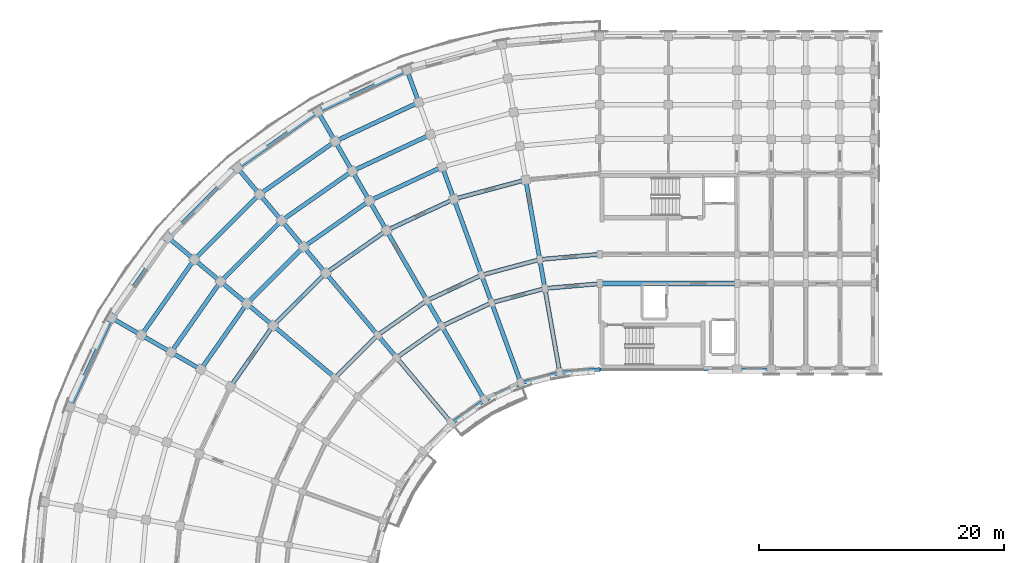
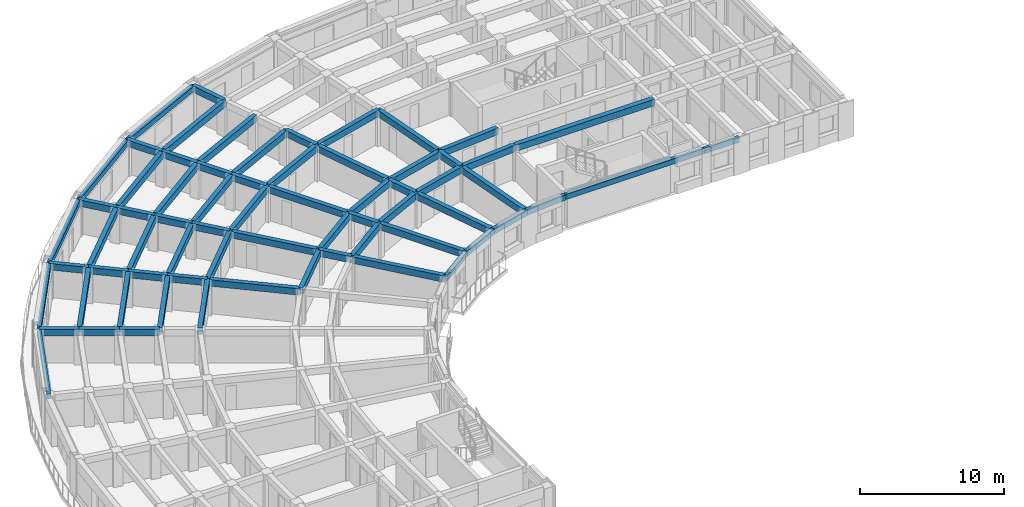
# One storey, part 8 of 54: 68 beams.
"""IFC4 building model written with IfcOpenShell, lengths in metres."""

from ifc_helpers import new_model, si_unit, direction, frame, origin, origin_2d, place, context, subcontext, project, spatial, rectangle, extrude, material, material_profile, profile_set, type_object, element, save


model = new_model("IFC4")

# Units and contexts
model_context = context("Model", 3, precision=1e-05, world=origin(), true_north=direction((0.0, 1.0)))
body_context = subcontext(model_context, "Body", "Model", "MODEL_VIEW")
ifc_project = project(units=[si_unit("LENGTHUNIT", "METRE"), si_unit("AREAUNIT", "SQUARE_METRE"), si_unit("VOLUMEUNIT", "CUBIC_METRE"), si_unit("PLANEANGLEUNIT", "RADIAN"), si_unit("MASSUNIT", "GRAM", prefix="KILO")], contexts=[model_context])

# Site, building, storey
site_placement = place(None, origin())
site = spatial("IfcSite", under=ifc_project, at=site_placement, CompositionType="ELEMENT")
building_placement = place(site_placement, origin())
building = spatial("IfcBuilding", under=site, at=building_placement, Name="Kiranvali Square Residences", CompositionType="ELEMENT")
storey_placement = place(building_placement, frame((0.0, 0.0, 27.60009765625)))
storey = spatial("IfcBuildingStorey", under=building, at=storey_placement, Name="L08", CompositionType="ELEMENT", Elevation=27.60009765625)

# Beams
ifc_material_1 = material(Name="Concrete M40 (40 MPa)", Category="concrete")
ifc_material_profile_1 = material_profile(ifc_material_1, rectangle(XDim=0.35009765625, YDim=0.550048828125, at=origin_2d()), Name="RC 350x550")
ifc_profile_set_1 = profile_set([ifc_material_profile_1], Name="Concrete M40 (40 MPa)")
beam_type_1 = type_object("IfcBeamType", Name="BM-M40-350x550", PredefinedType="BEAM", material=ifc_profile_set_1)
beam_1_placement = place(storey_placement, frame((48.199951171875, 113.60009765625, 2.65478515625), z_axis=(-0.996191949488, -0.087187153726, 0.0), x_axis=(0.087187153726, -0.996191949488, 0.0)))
element("IfcBeam", 1, at=beam_1_placement, inside=storey, type_object=beam_type_1, Name="L08 beam BM-A-L08-C00-R1", PredefinedType="BEAM", context=body_context, shape_type="SweptSolid", body=[
    extrude(rectangle(XDim=0.35009765625, YDim=0.550048828125, at=origin_2d()), origin(), (0.0, 0.0, 1.0), 4.4970703125),
])
beam_2_placement = place(storey_placement, frame((48.199951171875, 116.0, 2.65478515625), z_axis=(-0.996193663584, -0.087167566415, 0.0), x_axis=(0.087167566415, -0.996193663584, 0.0)))
element("IfcBeam", 2, at=beam_2_placement, inside=storey, type_object=beam_type_1, Name="L08 beam BM-A-L08-C00-R2", PredefinedType="BEAM", context=body_context, shape_type="SweptSolid", body=[
    extrude(rectangle(XDim=0.35009765625, YDim=0.550048828125, at=origin_2d()), origin(), (0.0, 0.0, 1.0), 4.91552734375),
])
beam_3_placement = place(storey_placement, frame((43.719970703125, 113.2080078125, 2.65478515625), z_axis=(-0.965934240054, -0.258787642463, 0.0), x_axis=(0.258787642463, -0.965934240054, 0.0)))
element("IfcBeam", 3, at=beam_3_placement, inside=storey, type_object=beam_type_1, Name="L08 beam BM-A-L08-C01-R1", PredefinedType="BEAM", context=body_context, shape_type="SweptSolid", body=[
    extrude(rectangle(XDim=0.35009765625, YDim=0.550048828125, at=origin_2d()), origin(), (0.0, 0.0, 1.0), 4.497314453125),
])
beam_4_placement = place(storey_placement, frame((43.30322265625, 115.571533203125, 2.65478515625), z_axis=(-0.965930095386, -0.258803112091, 0.0), x_axis=(0.258803112091, -0.965930095386, 0.0)))
element("IfcBeam", 4, at=beam_4_placement, inside=storey, type_object=beam_type_1, Name="L08 beam BM-A-L08-C01-R2", PredefinedType="BEAM", context=body_context, shape_type="SweptSolid", body=[
    extrude(rectangle(XDim=0.35009765625, YDim=0.550048828125, at=origin_2d()), origin(), (0.0, 0.0, 1.0), 4.915771484375),
])
beam_5_placement = place(storey_placement, frame((42.156982421875, 122.0712890625, 2.65478515625), z_axis=(-0.965923618901, -0.258827283048, 0.0), x_axis=(0.258827283048, -0.965923618901, 0.0)))
element("IfcBeam", 5, at=beam_5_placement, inside=storey, type_object=beam_type_1, Name="L08 beam BM-A-L08-C01-R3", PredefinedType="BEAM", context=body_context, shape_type="SweptSolid", body=[
    extrude(rectangle(XDim=0.35009765625, YDim=0.550048828125, at=origin_2d()), origin(), (0.0, 0.0, 1.0), 6.066162109375),
])
beam_6_placement = place(storey_placement, frame((39.3759765625, 112.044189453125, 2.65478515625), z_axis=(-0.906307919131, -0.422617978463, 0.0), x_axis=(0.422617978463, -0.906307919131, 0.0)))
element("IfcBeam", 6, at=beam_6_placement, inside=storey, type_object=beam_type_1, Name="L08 beam BM-A-L08-C02-R1", PredefinedType="BEAM", context=body_context, shape_type="SweptSolid", body=[
    extrude(rectangle(XDim=0.35009765625, YDim=0.550048828125, at=origin_2d()), origin(), (0.0, 0.0, 1.0), 4.497314453125),
])
beam_7_placement = place(storey_placement, frame((38.554931640625, 114.29931640625, 2.65478515625), z_axis=(-0.906302381024, -0.422629854778, 0.0), x_axis=(0.422629854778, -0.906302381024, 0.0)))
element("IfcBeam", 7, at=beam_7_placement, inside=storey, type_object=beam_type_1, Name="L08 beam BM-A-L08-C02-R2", PredefinedType="BEAM", context=body_context, shape_type="SweptSolid", body=[
    extrude(rectangle(XDim=0.35009765625, YDim=0.550048828125, at=origin_2d()), origin(), (0.0, 0.0, 1.0), 4.915283203125),
])
beam_8_placement = place(storey_placement, frame((36.297607421875, 120.501220703125, 2.65478515625), z_axis=(-0.906312656069, -0.42260781991, 0.0), x_axis=(0.42260781991, -0.906312656069, 0.0)))
element("IfcBeam", 8, at=beam_8_placement, inside=storey, type_object=beam_type_1, Name="L08 beam BM-A-L08-C02-R3", PredefinedType="BEAM", context=body_context, shape_type="SweptSolid", body=[
    extrude(rectangle(XDim=0.35009765625, YDim=0.550048828125, at=origin_2d()), origin(), (0.0, 0.0, 1.0), 6.06591796875),
])
beam_9_placement = place(storey_placement, frame((35.340087890625, 123.13232421875, 2.65478515625), z_axis=(-0.906318225223, -0.422595876255, 0.0), x_axis=(0.422595876255, -0.906318225223, 0.0)))
element("IfcBeam", 9, at=beam_9_placement, inside=storey, type_object=beam_type_1, Name="L08 beam BM-A-L08-C02-R4", PredefinedType="BEAM", context=body_context, shape_type="SweptSolid", body=[
    extrude(rectangle(XDim=0.35009765625, YDim=0.550048828125, at=origin_2d()), origin(), (0.0, 0.0, 1.0), 6.55419921875),
])
beam_10_placement = place(storey_placement, frame((34.38232421875, 125.763671875, 2.65478515625), z_axis=(-0.906297360311, -0.422640621205, 0.0), x_axis=(0.422640621205, -0.906297360311, 0.0)))
element("IfcBeam", 10, at=beam_10_placement, inside=storey, type_object=beam_type_1, Name="L08 beam BM-A-L08-C02-R5", PredefinedType="BEAM", context=body_context, shape_type="SweptSolid", body=[
    extrude(rectangle(XDim=0.35009765625, YDim=0.550048828125, at=origin_2d()), origin(), (0.0, 0.0, 1.0), 7.042236328125),
])
beam_11_placement = place(storey_placement, frame((33.4248046875, 128.394775390625, 2.65478515625), z_axis=(-0.90630982703, -0.422613886933, 0.0), x_axis=(0.422613886933, -0.90630982703, 0.0)))
element("IfcBeam", 11, at=beam_11_placement, inside=storey, type_object=beam_type_1, Name="L08 beam BM-A-L08-C02-R6", PredefinedType="BEAM", context=body_context, shape_type="SweptSolid", body=[
    extrude(rectangle(XDim=0.35009765625, YDim=0.550048828125, at=origin_2d()), origin(), (0.0, 0.0, 1.0), 7.5302734375),
])
beam_12_placement = place(storey_placement, frame((35.300048828125, 110.1435546875, 2.65478515625), z_axis=(-0.819155404658, -0.573571637217, 0.0), x_axis=(0.573571637217, -0.819155404658, 0.0)))
element("IfcBeam", 12, at=beam_12_placement, inside=storey, type_object=beam_type_1, Name="L08 beam BM-A-L08-C03-R1", PredefinedType="BEAM", context=body_context, shape_type="SweptSolid", body=[
    extrude(rectangle(XDim=0.35009765625, YDim=0.550048828125, at=origin_2d()), origin(), (0.0, 0.0, 1.0), 4.497314453125),
])
beam_13_placement = place(storey_placement, frame((34.10009765625, 112.221923828125, 2.65478515625), z_axis=(-0.819140911474, -0.573592335331, 0.0), x_axis=(0.573592335331, -0.819140911474, 0.0)))
element("IfcBeam", 13, at=beam_13_placement, inside=storey, type_object=beam_type_1, Name="L08 beam BM-A-L08-C03-R2", PredefinedType="BEAM", context=body_context, shape_type="SweptSolid", body=[
    extrude(rectangle(XDim=0.35009765625, YDim=0.550048828125, at=origin_2d()), origin(), (0.0, 0.0, 1.0), 4.915771484375),
])
beam_14_placement = place(storey_placement, frame((30.800048828125, 117.937744140625, 2.65478515625), z_axis=(-0.81913926159, -0.573594691504, 0.0), x_axis=(0.573594691504, -0.81913926159, 0.0)))
element("IfcBeam", 14, at=beam_14_placement, inside=storey, type_object=beam_type_1, Name="L08 beam BM-A-L08-C03-R3", PredefinedType="BEAM", context=body_context, shape_type="SweptSolid", body=[
    extrude(rectangle(XDim=0.35009765625, YDim=0.550048828125, at=origin_2d()), origin(), (0.0, 0.0, 1.0), 6.066162109375),
])
beam_15_placement = place(storey_placement, frame((29.39990234375, 120.362548828125, 2.65478515625), z_axis=(-0.819144409176, -0.573587340268, 0.0), x_axis=(0.573587340268, -0.819144409176, 0.0)))
element("IfcBeam", 15, at=beam_15_placement, inside=storey, type_object=beam_type_1, Name="L08 beam BM-A-L08-C03-R4", PredefinedType="BEAM", context=body_context, shape_type="SweptSolid", body=[
    extrude(rectangle(XDim=0.35009765625, YDim=0.550048828125, at=origin_2d()), origin(), (0.0, 0.0, 1.0), 6.553955078125),
])
beam_16_placement = place(storey_placement, frame((28.0, 122.787353515625, 2.65478515625), z_axis=(-0.819160249246, -0.57356471828, 0.0), x_axis=(0.57356471828, -0.819160249246, 0.0)))
element("IfcBeam", 16, at=beam_16_placement, inside=storey, type_object=beam_type_1, Name="L08 beam BM-A-L08-C03-R5", PredefinedType="BEAM", context=body_context, shape_type="SweptSolid", body=[
    extrude(rectangle(XDim=0.35009765625, YDim=0.550048828125, at=origin_2d()), origin(), (0.0, 0.0, 1.0), 7.0419921875),
])
beam_17_placement = place(storey_placement, frame((26.60009765625, 125.21240234375, 2.65478515625), z_axis=(-0.819143569597, -0.573588539275, 0.0), x_axis=(0.573588539275, -0.819143569597, 0.0)))
element("IfcBeam", 17, at=beam_17_placement, inside=storey, type_object=beam_type_1, Name="L08 beam BM-A-L08-C03-R6", PredefinedType="BEAM", context=body_context, shape_type="SweptSolid", body=[
    extrude(rectangle(XDim=0.35009765625, YDim=0.550048828125, at=origin_2d()), origin(), (0.0, 0.0, 1.0), 7.5302734375),
])
beam_18_placement = place(storey_placement, frame((30.073486328125, 109.40234375, 2.65478515625), z_axis=(-0.707106781187, -0.707106781187, 0.0), x_axis=(0.707106781187, -0.707106781187, 0.0)))
element("IfcBeam", 18, at=beam_18_placement, inside=storey, type_object=beam_type_1, Name="L08 beam BM-A-L08-C04-R2", PredefinedType="BEAM", context=body_context, shape_type="SweptSolid", body=[
    extrude(rectangle(XDim=0.35009765625, YDim=0.550048828125, at=origin_2d()), origin(), (0.0, 0.0, 1.0), 4.91552734375),
])
beam_19_placement = place(storey_placement, frame((25.8310546875, 114.458251953125, 2.65478515625), z_axis=(-0.707106781187, -0.707106781187, 0.0), x_axis=(0.707106781187, -0.707106781187, 0.0)))
element("IfcBeam", 19, at=beam_19_placement, inside=storey, type_object=beam_type_1, Name="L08 beam BM-A-L08-C04-R3", PredefinedType="BEAM", context=body_context, shape_type="SweptSolid", body=[
    extrude(rectangle(XDim=0.35009765625, YDim=0.550048828125, at=origin_2d()), origin(), (0.0, 0.0, 1.0), 6.06591796875),
])
beam_20_placement = place(storey_placement, frame((24.03125, 116.603271484375, 2.65478515625), z_axis=(-0.707106781187, -0.707106781187, 0.0), x_axis=(0.707106781187, -0.707106781187, 0.0)))
element("IfcBeam", 20, at=beam_20_placement, inside=storey, type_object=beam_type_1, Name="L08 beam BM-A-L08-C04-R4", PredefinedType="BEAM", context=body_context, shape_type="SweptSolid", body=[
    extrude(rectangle(XDim=0.35009765625, YDim=0.550048828125, at=origin_2d()), origin(), (0.0, 0.0, 1.0), 6.55419921875),
])
beam_21_placement = place(storey_placement, frame((22.2314453125, 118.748291015625, 2.65478515625), z_axis=(-0.707106781187, -0.707106781187, 0.0), x_axis=(0.707106781187, -0.707106781187, 0.0)))
element("IfcBeam", 21, at=beam_21_placement, inside=storey, type_object=beam_type_1, Name="L08 beam BM-A-L08-C04-R5", PredefinedType="BEAM", context=body_context, shape_type="SweptSolid", body=[
    extrude(rectangle(XDim=0.35009765625, YDim=0.550048828125, at=origin_2d()), origin(), (0.0, 0.0, 1.0), 7.04248046875),
])
beam_22_placement = place(storey_placement, frame((20.431640625, 120.89306640625, 2.65478515625), z_axis=(-0.707106781187, -0.707106781187, 0.0), x_axis=(0.707106781187, -0.707106781187, 0.0)))
element("IfcBeam", 22, at=beam_22_placement, inside=storey, type_object=beam_type_1, Name="L08 beam BM-A-L08-C04-R6", PredefinedType="BEAM", context=body_context, shape_type="SweptSolid", body=[
    extrude(rectangle(XDim=0.35009765625, YDim=0.550048828125, at=origin_2d()), origin(), (0.0, 0.0, 1.0), 7.5302734375),
])
beam_23_placement = place(storey_placement, frame((21.541748046875, 110.1689453125, 2.65478515625), z_axis=(-0.573594691504, -0.81913926159, 0.0), x_axis=(0.81913926159, -0.573594691504, 0.0)))
element("IfcBeam", 23, at=beam_23_placement, inside=storey, type_object=beam_type_1, Name="L08 beam BM-A-L08-C05-R3", PredefinedType="BEAM", context=body_context, shape_type="SweptSolid", body=[
    extrude(rectangle(XDim=0.35009765625, YDim=0.550048828125, at=origin_2d()), origin(), (0.0, 0.0, 1.0), 6.066162109375),
])
beam_24_placement = place(storey_placement, frame((19.396728515625, 111.96875, 2.65478515625), z_axis=(-0.573587340268, -0.819144409176, 0.0), x_axis=(0.819144409176, -0.573587340268, 0.0)))
element("IfcBeam", 24, at=beam_24_placement, inside=storey, type_object=beam_type_1, Name="L08 beam BM-A-L08-C05-R4", PredefinedType="BEAM", context=body_context, shape_type="SweptSolid", body=[
    extrude(rectangle(XDim=0.35009765625, YDim=0.550048828125, at=origin_2d()), origin(), (0.0, 0.0, 1.0), 6.553955078125),
])
beam_25_placement = place(storey_placement, frame((17.251708984375, 113.7685546875, 2.65478515625), z_axis=(-0.57356471828, -0.819160249246, 0.0), x_axis=(0.819160249246, -0.57356471828, 0.0)))
element("IfcBeam", 25, at=beam_25_placement, inside=storey, type_object=beam_type_1, Name="L08 beam BM-A-L08-C05-R5", PredefinedType="BEAM", context=body_context, shape_type="SweptSolid", body=[
    extrude(rectangle(XDim=0.35009765625, YDim=0.550048828125, at=origin_2d()), origin(), (0.0, 0.0, 1.0), 7.0419921875),
])
beam_26_placement = place(storey_placement, frame((15.10693359375, 115.568359375, 2.65478515625), z_axis=(-0.573588539275, -0.819143569597, 0.0), x_axis=(0.819143569597, -0.573588539275, 0.0)))
element("IfcBeam", 26, at=beam_26_placement, inside=storey, type_object=beam_type_1, Name="L08 beam BM-A-L08-C05-R6", PredefinedType="BEAM", context=body_context, shape_type="SweptSolid", body=[
    extrude(rectangle(XDim=0.35009765625, YDim=0.550048828125, at=origin_2d()), origin(), (0.0, 0.0, 1.0), 7.5302734375),
])
beam_27_placement = place(storey_placement, frame((44.935302734375, 106.314453125, 2.65478515625), z_axis=(-0.173622177865, 0.984812337125, 0.0), x_axis=(-0.984812337125, -0.173622177865, 0.0)))
element("IfcBeam", 27, at=beam_27_placement, inside=storey, type_object=beam_type_1, Name="L08 beam BM-A-L08-RAD01-01", PredefinedType="BEAM", context=body_context, shape_type="SweptSolid", body=[
    extrude(rectangle(XDim=0.35009765625, YDim=0.550048828125, at=origin_2d()), origin(), (0.0, 0.0, 1.0), 6.999755859375),
])
beam_28_placement = place(storey_placement, frame((43.719970703125, 113.2080078125, 2.65478515625), z_axis=(-0.173646056486, 0.984808127031, 0.0), x_axis=(-0.984808127031, -0.173646056486, 0.0)))
element("IfcBeam", 28, at=beam_28_placement, inside=storey, type_object=beam_type_1, Name="L08 beam BM-A-L08-RAD01-12", PredefinedType="BEAM", context=body_context, shape_type="SweptSolid", body=[
    extrude(rectangle(XDim=0.35009765625, YDim=0.550048828125, at=origin_2d()), origin(), (0.0, 0.0, 1.0), 2.39990234375),
])
beam_29_placement = place(storey_placement, frame((43.30322265625, 115.571533203125, 2.65478515625), z_axis=(-0.173671381499, 0.984803661269, 0.0), x_axis=(-0.984803661269, -0.173671381499, 0.0)))
element("IfcBeam", 29, at=beam_29_placement, inside=storey, type_object=beam_type_1, Name="L08 beam BM-A-L08-RAD01-23", PredefinedType="BEAM", context=body_context, shape_type="SweptSolid", body=[
    extrude(rectangle(XDim=0.35009765625, YDim=0.550048828125, at=origin_2d()), origin(), (0.0, 0.0, 1.0), 6.60009765625),
])
beam_30_placement = place(storey_placement, frame((41.77001953125, 105.46630859375, 2.65478515625), z_axis=(-0.342006283793, 0.939697665127, 0.0), x_axis=(-0.939697665127, -0.342006283793, 0.0)))
element("IfcBeam", 30, at=beam_30_placement, inside=storey, type_object=beam_type_1, Name="L08 beam BM-A-L08-RAD02-01", PredefinedType="BEAM", context=body_context, shape_type="SweptSolid", body=[
    extrude(rectangle(XDim=0.35009765625, YDim=0.550048828125, at=origin_2d()), origin(), (0.0, 0.0, 1.0), 7.0),
])
beam_31_placement = place(storey_placement, frame((39.3759765625, 112.044189453125, 2.65478515625), z_axis=(-0.342110593602, 0.939659694648, 0.0), x_axis=(-0.939659694648, -0.342110593602, 0.0)))
element("IfcBeam", 31, at=beam_31_placement, inside=storey, type_object=beam_type_1, Name="L08 beam BM-A-L08-RAD02-12", PredefinedType="BEAM", context=body_context, shape_type="SweptSolid", body=[
    extrude(rectangle(XDim=0.35009765625, YDim=0.550048828125, at=origin_2d()), origin(), (0.0, 0.0, 1.0), 2.39990234375),
])
beam_32_placement = place(storey_placement, frame((38.554931640625, 114.29931640625, 2.65478515625), z_axis=(-0.342022238372, 0.939691858249, 0.0), x_axis=(-0.939691858249, -0.342022238372, 0.0)))
element("IfcBeam", 32, at=beam_32_placement, inside=storey, type_object=beam_type_1, Name="L08 beam BM-A-L08-RAD02-23", PredefinedType="BEAM", context=body_context, shape_type="SweptSolid", body=[
    extrude(rectangle(XDim=0.35009765625, YDim=0.550048828125, at=origin_2d()), origin(), (0.0, 0.0, 1.0), 6.599853515625),
])
beam_33_placement = place(storey_placement, frame((36.297607421875, 120.501220703125, 2.65478515625), z_axis=(-0.341981089711, 0.93970683422, 0.0), x_axis=(-0.93970683422, -0.341981089711, 0.0)))
element("IfcBeam", 33, at=beam_33_placement, inside=storey, type_object=beam_type_1, Name="L08 beam BM-A-L08-RAD02-34", PredefinedType="BEAM", context=body_context, shape_type="SweptSolid", body=[
    extrude(rectangle(XDim=0.35009765625, YDim=0.550048828125, at=origin_2d()), origin(), (0.0, 0.0, 1.0), 2.7998046875),
])
beam_34_placement = place(storey_placement, frame((33.4248046875, 128.394775390625, 2.65478515625), z_axis=(-0.342058084236, 0.939678810556, 0.0), x_axis=(-0.939678810556, -0.342058084236, 0.0)))
element("IfcBeam", 34, at=beam_34_placement, inside=storey, type_object=beam_type_1, Name="L08 beam BM-A-L08-RAD02-67", PredefinedType="BEAM", context=body_context, shape_type="SweptSolid", body=[
    extrude(rectangle(XDim=0.35009765625, YDim=0.550048828125, at=origin_2d()), origin(), (0.0, 0.0, 1.0), 2.800048828125),
])
beam_35_placement = place(storey_placement, frame((38.800048828125, 104.081298828125, 2.65478515625), z_axis=(-0.499995173006, 0.866028190633, 0.0), x_axis=(-0.866028190633, -0.499995173006, 0.0)))
element("IfcBeam", 35, at=beam_35_placement, inside=storey, type_object=beam_type_1, Name="L08 beam BM-A-L08-RAD03-01", PredefinedType="BEAM", context=body_context, shape_type="SweptSolid", body=[
    extrude(rectangle(XDim=0.35009765625, YDim=0.550048828125, at=origin_2d()), origin(), (0.0, 0.0, 1.0), 7.0),
])
beam_36_placement = place(storey_placement, frame((35.300048828125, 110.1435546875, 2.65478515625), z_axis=(-0.500001309137, 0.866024647952, 0.0), x_axis=(-0.866024647952, -0.500001309137, 0.0)))
element("IfcBeam", 36, at=beam_36_placement, inside=storey, type_object=beam_type_1, Name="L08 beam BM-A-L08-RAD03-12", PredefinedType="BEAM", context=body_context, shape_type="SweptSolid", body=[
    extrude(rectangle(XDim=0.35009765625, YDim=0.550048828125, at=origin_2d()), origin(), (0.0, 0.0, 1.0), 2.39990234375),
])
beam_37_placement = place(storey_placement, frame((34.10009765625, 112.221923828125, 2.65478515625), z_axis=(-0.500002094529, 0.866024194504, 0.0), x_axis=(-0.866024194504, -0.500002094529, 0.0)))
element("IfcBeam", 37, at=beam_37_placement, inside=storey, type_object=beam_type_1, Name="L08 beam BM-A-L08-RAD03-23", PredefinedType="BEAM", context=body_context, shape_type="SweptSolid", body=[
    extrude(rectangle(XDim=0.35009765625, YDim=0.550048828125, at=origin_2d()), origin(), (0.0, 0.0, 1.0), 6.60009765625),
])
beam_38_placement = place(storey_placement, frame((30.800048828125, 117.937744140625, 2.65478515625), z_axis=(-0.500049511043, 0.865996816683, 0.0), x_axis=(-0.865996816683, -0.500049511043, 0.0)))
element("IfcBeam", 38, at=beam_38_placement, inside=storey, type_object=beam_type_1, Name="L08 beam BM-A-L08-RAD03-34", PredefinedType="BEAM", context=body_context, shape_type="SweptSolid", body=[
    extrude(rectangle(XDim=0.35009765625, YDim=0.550048828125, at=origin_2d()), origin(), (0.0, 0.0, 1.0), 2.800048828125),
])
beam_39_placement = place(storey_placement, frame((29.39990234375, 120.362548828125, 2.65478515625), z_axis=(-0.49998411664, 0.866034573852, 0.0), x_axis=(-0.866034573852, -0.49998411664, 0.0)))
element("IfcBeam", 39, at=beam_39_placement, inside=storey, type_object=beam_type_1, Name="L08 beam BM-A-L08-RAD03-45", PredefinedType="BEAM", context=body_context, shape_type="SweptSolid", body=[
    extrude(rectangle(XDim=0.35009765625, YDim=0.550048828125, at=origin_2d()), origin(), (0.0, 0.0, 1.0), 2.7998046875),
])
for number, where, z_axis, x_axis, name in (
    (40, (28.0, 122.787353515625, 2.65478515625), (-0.49994636267, 0.866056369097, 0.0), (-0.866056369097, -0.49994636267, 0.0), "L08 beam BM-A-L08-RAD03-56"),
    (41, (26.60009765625, 125.21240234375, 2.65478515625), (-0.500049511043, 0.865996816683, 0.0), (-0.865996816683, -0.500049511043, 0.0), "L08 beam BM-A-L08-RAD03-67"),
):
    element("IfcBeam", number, at=place(storey_placement, frame(where, z_axis=z_axis, x_axis=x_axis)), inside=storey, type_object=beam_type_1, Name=name, PredefinedType="BEAM", context=body_context, shape_type="SweptSolid", body=[
        extrude(rectangle(XDim=0.35009765625, YDim=0.550048828125, at=origin_2d()), origin(), (0.0, 0.0, 1.0), 2.800048828125),
    ])
beam_40_placement = place(storey_placement, frame((36.115478515625, 102.20166015625, 2.65478515625), z_axis=(-0.642787931032, 0.766044173478, 0.0), x_axis=(-0.766044173478, -0.642787931032, 0.0)))
element("IfcBeam", 42, at=beam_40_placement, inside=storey, type_object=beam_type_1, Name="L08 beam BM-A-L08-RAD04-01", PredefinedType="BEAM", context=body_context, shape_type="SweptSolid", body=[
    extrude(rectangle(XDim=0.35009765625, YDim=0.550048828125, at=origin_2d()), origin(), (0.0, 0.0, 1.0), 7.0),
])
beam_41_placement = place(storey_placement, frame((31.615966796875, 107.56396484375, 2.65478515625), z_axis=(-0.642762521781, 0.766065493671, 0.0), x_axis=(-0.766065493671, -0.642762521781, 0.0)))
element("IfcBeam", 43, at=beam_41_placement, inside=storey, type_object=beam_type_1, Name="L08 beam BM-A-L08-RAD04-12", PredefinedType="BEAM", context=body_context, shape_type="SweptSolid", body=[
    extrude(rectangle(XDim=0.35009765625, YDim=0.550048828125, at=origin_2d()), origin(), (0.0, 0.0, 1.0), 2.399658203125),
])
beam_42_placement = place(storey_placement, frame((30.073486328125, 109.40234375, 2.65478515625), z_axis=(-0.642789470807, 0.766042881449, 0.0), x_axis=(-0.766042881449, -0.642789470807, 0.0)))
element("IfcBeam", 44, at=beam_42_placement, inside=storey, type_object=beam_type_1, Name="L08 beam BM-A-L08-RAD04-23", PredefinedType="BEAM", context=body_context, shape_type="SweptSolid", body=[
    extrude(rectangle(XDim=0.35009765625, YDim=0.550048828125, at=origin_2d()), origin(), (0.0, 0.0, 1.0), 6.60009765625),
])
for number, where, z_axis, x_axis, name in (
    (45, (25.8310546875, 114.458251953125, 2.65478515625), (-0.642770757628, 0.766058583359, 0.0), (-0.766058583359, -0.642770757628, 0.0), "L08 beam BM-A-L08-RAD04-34"),
    (46, (24.03125, 116.603271484375, 2.65478515625), (-0.642770757628, 0.766058583359, 0.0), (-0.766058583359, -0.642770757628, 0.0), "L08 beam BM-A-L08-RAD04-45"),
):
    element("IfcBeam", number, at=place(storey_placement, frame(where, z_axis=z_axis, x_axis=x_axis)), inside=storey, type_object=beam_type_1, Name=name, PredefinedType="BEAM", context=body_context, shape_type="SweptSolid", body=[
        extrude(rectangle(XDim=0.35009765625, YDim=0.550048828125, at=origin_2d()), origin(), (0.0, 0.0, 1.0), 2.800048828125),
    ])
beam_43_placement = place(storey_placement, frame((22.2314453125, 118.748291015625, 2.65478515625), z_axis=(-0.642813692253, 0.76602255649, 0.0), x_axis=(-0.76602255649, -0.642813692253, 0.0)))
element("IfcBeam", 47, at=beam_43_placement, inside=storey, type_object=beam_type_1, Name="L08 beam BM-A-L08-RAD04-56", PredefinedType="BEAM", context=body_context, shape_type="SweptSolid", body=[
    extrude(rectangle(XDim=0.35009765625, YDim=0.550048828125, at=origin_2d()), origin(), (0.0, 0.0, 1.0), 2.7998046875),
])
beam_44_placement = place(storey_placement, frame((20.431640625, 120.89306640625, 2.65478515625), z_axis=(-0.642770757628, 0.766058583359, 0.0), x_axis=(-0.766058583359, -0.642770757628, 0.0)))
element("IfcBeam", 48, at=beam_44_placement, inside=storey, type_object=beam_type_1, Name="L08 beam BM-A-L08-RAD04-67", PredefinedType="BEAM", context=body_context, shape_type="SweptSolid", body=[
    extrude(rectangle(XDim=0.35009765625, YDim=0.550048828125, at=origin_2d()), origin(), (0.0, 0.0, 1.0), 2.800048828125),
])
beam_45_placement = place(storey_placement, frame((26.59765625, 105.926513671875, 2.65478515625), z_axis=(-0.766042881449, 0.642789470807, 0.0), x_axis=(-0.642789470807, -0.766042881449, 0.0)))
element("IfcBeam", 49, at=beam_45_placement, inside=storey, type_object=beam_type_1, Name="L08 beam BM-A-L08-RAD05-23", PredefinedType="BEAM", context=body_context, shape_type="SweptSolid", body=[
    extrude(rectangle(XDim=0.35009765625, YDim=0.550048828125, at=origin_2d()), origin(), (0.0, 0.0, 1.0), 6.60009765625),
])
for number, where, z_axis, x_axis, name in (
    (50, (21.541748046875, 110.1689453125, 2.65478515625), (-0.766058583359, 0.642770757628, 0.0), (-0.642770757628, -0.766058583359, 0.0), "L08 beam BM-A-L08-RAD05-34"),
    (51, (19.396728515625, 111.96875, 2.65478515625), (-0.766058583359, 0.642770757628, 0.0), (-0.642770757628, -0.766058583359, 0.0), "L08 beam BM-A-L08-RAD05-45"),
):
    element("IfcBeam", number, at=place(storey_placement, frame(where, z_axis=z_axis, x_axis=x_axis)), inside=storey, type_object=beam_type_1, Name=name, PredefinedType="BEAM", context=body_context, shape_type="SweptSolid", body=[
        extrude(rectangle(XDim=0.35009765625, YDim=0.550048828125, at=origin_2d()), origin(), (0.0, 0.0, 1.0), 2.800048828125),
    ])
beam_46_placement = place(storey_placement, frame((17.251708984375, 113.7685546875, 2.65478515625), z_axis=(-0.76602255649, 0.642813692253, 0.0), x_axis=(-0.642813692253, -0.76602255649, 0.0)))
element("IfcBeam", 52, at=beam_46_placement, inside=storey, type_object=beam_type_1, Name="L08 beam BM-A-L08-RAD05-56", PredefinedType="BEAM", context=body_context, shape_type="SweptSolid", body=[
    extrude(rectangle(XDim=0.35009765625, YDim=0.550048828125, at=origin_2d()), origin(), (0.0, 0.0, 1.0), 2.7998046875),
])
beam_47_placement = place(storey_placement, frame((15.10693359375, 115.568359375, 2.65478515625), z_axis=(-0.766058583359, 0.642770757628, 0.0), x_axis=(-0.642770757628, -0.766058583359, 0.0)))
element("IfcBeam", 53, at=beam_47_placement, inside=storey, type_object=beam_type_1, Name="L08 beam BM-A-L08-RAD05-67", PredefinedType="BEAM", context=body_context, shape_type="SweptSolid", body=[
    extrude(rectangle(XDim=0.35009765625, YDim=0.550048828125, at=origin_2d()), origin(), (0.0, 0.0, 1.0), 2.800048828125),
])
beam_48_placement = place(storey_placement, frame((15.637451171875, 106.60009765625, 2.65478515625), z_axis=(-0.866034573852, 0.49998411664, 0.0), x_axis=(-0.49998411664, -0.866034573852, 0.0)))
element("IfcBeam", 54, at=beam_48_placement, inside=storey, type_object=beam_type_1, Name="L08 beam BM-A-L08-RAD06-45", PredefinedType="BEAM", context=body_context, shape_type="SweptSolid", body=[
    extrude(rectangle(XDim=0.35009765625, YDim=0.550048828125, at=origin_2d()), origin(), (0.0, 0.0, 1.0), 2.7998046875),
])
for number, where, z_axis, x_axis, name in (
    (55, (13.212646484375, 108.0, 2.65478515625), (-0.866056369097, 0.49994636267, 0.0), (-0.49994636267, -0.866056369097, 0.0), "L08 beam BM-A-L08-RAD06-56"),
    (56, (10.78759765625, 109.39990234375, 2.65478515625), (-0.865996816683, 0.500049511043, 0.0), (-0.500049511043, -0.865996816683, 0.0), "L08 beam BM-A-L08-RAD06-67"),
):
    element("IfcBeam", number, at=place(storey_placement, frame(where, z_axis=z_axis, x_axis=x_axis)), inside=storey, type_object=beam_type_1, Name=name, PredefinedType="BEAM", context=body_context, shape_type="SweptSolid", body=[
        extrude(rectangle(XDim=0.35009765625, YDim=0.550048828125, at=origin_2d()), origin(), (0.0, 0.0, 1.0), 2.800048828125),
    ])
ifc_material_2 = material(Name="Concrete M45 (45 MPa)", Category="concrete")
ifc_material_profile_2 = material_profile(ifc_material_2, rectangle(XDim=0.39990234375, YDim=0.550048828125, at=origin_2d()), Name="RC 400x550")
ifc_profile_set_2 = profile_set([ifc_material_profile_2], Name="Concrete M45 (45 MPa)")
beam_type_2 = type_object("IfcBeamType", Name="BM-M45-400x550", PredefinedType="BEAM", material=ifc_profile_set_2)
beam_49_placement = place(storey_placement, frame((48.199951171875, 113.60009765625, 2.65478515625), z_axis=(1.0, 0.0, 0.0), x_axis=(0.0, 1.0, 0.0)))
element("IfcBeam", 57, at=beam_49_placement, inside=storey, type_object=beam_type_2, Name="L08 beam BM-A-L08-A1U0-R1", PredefinedType="BEAM", context=body_context, shape_type="SweptSolid", body=[
    extrude(rectangle(XDim=0.39990234375, YDim=0.550048828125, at=origin_2d()), origin(), (0.0, 0.0, 1.0), 11.199951171875),
])
ifc_material_profile_3 = material_profile(ifc_material_1, rectangle(XDim=0.25, YDim=0.449951171875, at=origin_2d()), Name="RC 250x450")
ifc_profile_set_3 = profile_set([ifc_material_profile_3], Name="Concrete M40 (40 MPa)")
beam_type_3 = type_object("IfcBeamType", Name="SPN-M40-250x450", PredefinedType="SPANDREL", material=ifc_profile_set_3)
beam_50_placement = place(storey_placement, frame((48.199951171875, 106.60009765625, 2.704833984375), z_axis=(1.0, 0.0, 0.0), x_axis=(0.0, 1.0, 0.0)))
element("IfcBeam", 58, at=beam_50_placement, inside=storey, type_object=beam_type_3, Name="L08 beam BM-A-L08-A1U0-R0", PredefinedType="SPANDREL", context=body_context, shape_type="SweptSolid", body=[
    extrude(rectangle(XDim=0.25, YDim=0.449951171875, at=origin_2d()), origin(), (0.0, 0.0, 1.0), 11.199951171875),
])
beam_51_placement = place(storey_placement, frame((59.39990234375, 106.60009765625, 2.704833984375), z_axis=(1.0, 0.0, 0.0), x_axis=(0.0, 1.0, 0.0)))
element("IfcBeam", 59, at=beam_51_placement, inside=storey, type_object=beam_type_3, Name="L08 beam BM-A-L08-A1U1-R0", PredefinedType="SPANDREL", context=body_context, shape_type="SweptSolid", body=[
    extrude(rectangle(XDim=0.25, YDim=0.449951171875, at=origin_2d()), origin(), (0.0, 0.0, 1.0), 2.800048828125),
])
ifc_material_profile_4 = material_profile(ifc_material_1, rectangle(XDim=0.300048828125, YDim=0.449951171875, at=origin_2d()), Name="RC 300x450")
ifc_profile_set_4 = profile_set([ifc_material_profile_4], Name="Concrete M40 (40 MPa)")
beam_type_4 = type_object("IfcBeamType", Name="SPN-M40-300x450", PredefinedType="SPANDREL", material=ifc_profile_set_4)
beam_52_placement = place(storey_placement, frame((48.199951171875, 106.60009765625, 2.704833984375), z_axis=(-0.996194040944, -0.087163253657, 0.0), x_axis=(0.087163253657, -0.996194040944, 0.0)))
element("IfcBeam", 60, at=beam_52_placement, inside=storey, type_object=beam_type_4, Name="L08 beam BM-A-L08-C00-R0", PredefinedType="SPANDREL", context=body_context, shape_type="SweptSolid", body=[
    extrude(rectangle(XDim=0.300048828125, YDim=0.449951171875, at=origin_2d()), origin(), (0.0, 0.0, 1.0), 3.277099609375),
])
beam_53_placement = place(storey_placement, frame((44.935302734375, 106.314453125, 2.704833984375), z_axis=(-0.965925105099, -0.258821736607, 0.0), x_axis=(0.258821736607, -0.965925105099, 0.0)))
element("IfcBeam", 61, at=beam_53_placement, inside=storey, type_object=beam_type_4, Name="L08 beam BM-A-L08-C01-R0", PredefinedType="SPANDREL", context=body_context, shape_type="SweptSolid", body=[
    extrude(rectangle(XDim=0.300048828125, YDim=0.449951171875, at=origin_2d()), origin(), (0.0, 0.0, 1.0), 3.27685546875),
])
beam_54_placement = place(storey_placement, frame((41.77001953125, 105.46630859375, 2.704833984375), z_axis=(-0.90629730464, -0.422640740585, 0.0), x_axis=(0.422640740585, -0.90629730464, 0.0)))
element("IfcBeam", 62, at=beam_54_placement, inside=storey, type_object=beam_type_4, Name="L08 beam BM-A-L08-C02-R0", PredefinedType="SPANDREL", context=body_context, shape_type="SweptSolid", body=[
    extrude(rectangle(XDim=0.300048828125, YDim=0.449951171875, at=origin_2d()), origin(), (0.0, 0.0, 1.0), 3.277099609375),
])
beam_55_placement = place(storey_placement, frame((32.467041015625, 131.02587890625, 2.704833984375), z_axis=(-0.906309113636, -0.422615416827, 0.0), x_axis=(0.422615416827, -0.906309113636, 0.0)))
element("IfcBeam", 63, at=beam_55_placement, inside=storey, type_object=beam_type_4, Name="L08 beam BM-A-L08-C02-R7", PredefinedType="SPANDREL", context=body_context, shape_type="SweptSolid", body=[
    extrude(rectangle(XDim=0.300048828125, YDim=0.449951171875, at=origin_2d()), origin(), (0.0, 0.0, 1.0), 8.018310546875),
])
beam_56_placement = place(storey_placement, frame((38.800048828125, 104.081298828125, 2.704833984375), z_axis=(-0.81916891812, -0.573552337269, 0.0), x_axis=(0.573552337269, -0.81916891812, 0.0)))
element("IfcBeam", 64, at=beam_56_placement, inside=storey, type_object=beam_type_4, Name="L08 beam BM-A-L08-C03-R0", PredefinedType="SPANDREL", context=body_context, shape_type="SweptSolid", body=[
    extrude(rectangle(XDim=0.300048828125, YDim=0.449951171875, at=origin_2d()), origin(), (0.0, 0.0, 1.0), 3.277099609375),
])
beam_57_placement = place(storey_placement, frame((25.199951171875, 127.63720703125, 2.704833984375), z_axis=(-0.819147515001, -0.573582904791, 0.0), x_axis=(0.573582904791, -0.819147515001, 0.0)))
element("IfcBeam", 65, at=beam_57_placement, inside=storey, type_object=beam_type_4, Name="L08 beam BM-A-L08-C03-R7", PredefinedType="SPANDREL", context=body_context, shape_type="SweptSolid", body=[
    extrude(rectangle(XDim=0.300048828125, YDim=0.449951171875, at=origin_2d()), origin(), (0.0, 0.0, 1.0), 8.018310546875),
])
beam_58_placement = place(storey_placement, frame((18.6318359375, 123.0380859375, 2.704833984375), z_axis=(-0.707106781187, -0.707106781187, 0.0), x_axis=(0.707106781187, -0.707106781187, 0.0)))
element("IfcBeam", 66, at=beam_58_placement, inside=storey, type_object=beam_type_4, Name="L08 beam BM-A-L08-C04-R7", PredefinedType="SPANDREL", context=body_context, shape_type="SweptSolid", body=[
    extrude(rectangle(XDim=0.300048828125, YDim=0.449951171875, at=origin_2d()), origin(), (0.0, 0.0, 1.0), 8.0185546875),
])
for number, where, z_axis, x_axis, name in (
    (67, (12.9619140625, 117.3681640625, 2.704833984375), (-0.573582904791, -0.819147515001, 0.0), (0.819147515001, -0.573582904791, 0.0), "L08 beam BM-A-L08-C05-R7"),
    (68, (8.36279296875, 110.800048828125, 2.704833984375), (-0.422615416827, -0.906309113636, 0.0), (0.906309113636, -0.422615416827, 0.0), "L08 beam BM-A-L08-C06-R7"),
):
    element("IfcBeam", number, at=place(storey_placement, frame(where, z_axis=z_axis, x_axis=x_axis)), inside=storey, type_object=beam_type_4, Name=name, PredefinedType="SPANDREL", context=body_context, shape_type="SweptSolid", body=[
        extrude(rectangle(XDim=0.300048828125, YDim=0.449951171875, at=origin_2d()), origin(), (0.0, 0.0, 1.0), 8.018310546875),
    ])

save(model, "model.ifc")
